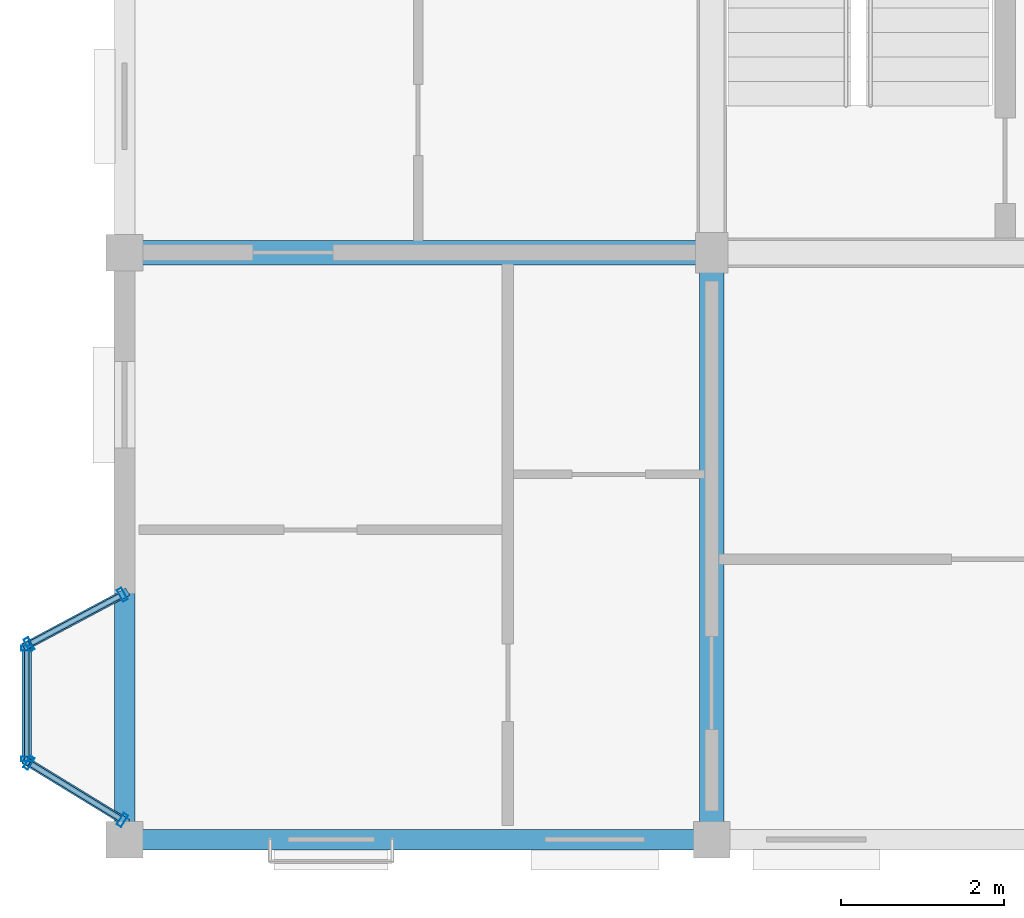
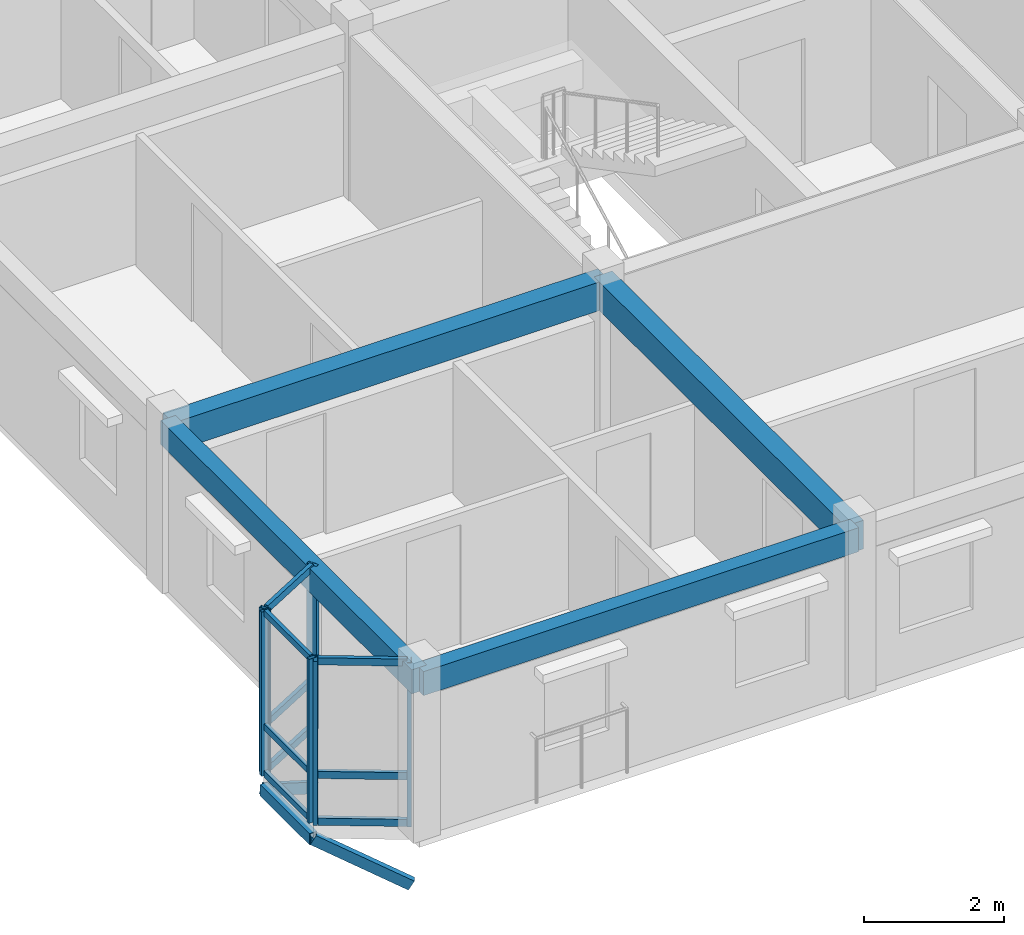
# One storey, part 3 of 28: 18 members, 4 beams, 3 elements without a shape of their own.
"""IFC4 building model written with IfcOpenShell, lengths in metres."""

import ifcopenshell
import ifcopenshell.guid

model = None  # the IFC model being written
_history = None  # IfcOwnerHistory: only IFC2X3 demands one
_inside = {}  # id of a spatial element -> (the spatial element, [elements in it])
_under = {}  # id of a project, library or spatial element -> (it, [spatial elements below it])
_declared = {}  # id of a project -> (the project, [libraries it declares])
_typed = {}  # id of a type object -> (the type object, [elements of that type])
_made_of = {}  # id of a material, layer set ... -> (it, [elements and type objects made of it])


def new_model(schema):
    """Start an empty IFC model of exactly this schema.

    Asked for "IFC4X3", IfcOpenShell would pick the latest addendum, in which some entities
    have other attributes; the version numbers below select the first issue.
    IFC2X3 requires an IfcOwnerHistory on every rooted entity: one is made here for all.
    """
    global model, _history
    if schema == "IFC4X3":
        model = ifcopenshell.file(schema_version=(4, 3, 0, 0))
    else:
        model = ifcopenshell.file(schema=schema)
    _inside.clear()
    _under.clear()
    _declared.clear()
    _typed.clear()
    _made_of.clear()
    _history = None
    if model.schema == "IFC2X3":
        org = make("IfcOrganization", Name="unknown")
        user = make(
            "IfcPersonAndOrganization",
            ThePerson=make("IfcPerson", FamilyName="unknown"),
            TheOrganization=org,
        )
        app = make(
            "IfcApplication",
            ApplicationDeveloper=org,
            Version="unknown",
            ApplicationFullName="unknown",
            ApplicationIdentifier="unknown",
        )
        _history = make(
            "IfcOwnerHistory",
            OwningUser=user,
            OwningApplication=app,
            ChangeAction="ADDED",
            CreationDate=0,
        )
    return model


def make(cls, **values):
    """One entity of the class cls with the attributes given. An attribute that is None is left unset."""
    return model.create_entity(
        cls, **{name: value for name, value in values.items() if value is not None}
    )


def rooted(cls, **values):
    """An entity with a GlobalId (a new one), such as an element, a storey or a relation."""
    return make(cls, GlobalId=ifcopenshell.guid.new(), OwnerHistory=_history, **values)


def si_unit(unit_type, name, prefix=None):
    """IfcSIUnit, for example si_unit("LENGTHUNIT", "METRE", prefix="MILLI")."""
    return make("IfcSIUnit", UnitType=unit_type, Prefix=prefix, Name=name)


def assignment(units):
    """IfcUnitAssignment: the units of a project."""
    return None if units is None else make("IfcUnitAssignment", Units=units)


def point(xyz):
    """IfcCartesianPoint."""
    return None if xyz is None else make("IfcCartesianPoint", Coordinates=xyz)


def direction(xyz):
    """IfcDirection."""
    return None if xyz is None else make("IfcDirection", DirectionRatios=xyz)


def frame(location, z_axis=None, x_axis=None):
    """IfcAxis2Placement3D, a coordinate frame: its origin and axes. An axis left out is left unset."""
    return make(
        "IfcAxis2Placement3D",
        Location=point(location),
        Axis=direction(z_axis),
        RefDirection=direction(x_axis),
    )


def frame_2d(location, x_axis=None):
    """IfcAxis2Placement2D, a coordinate frame in the plane: its origin and x axis."""
    return make(
        "IfcAxis2Placement2D", Location=point(location), RefDirection=direction(x_axis)
    )


def origin():
    """The frame at (0, 0, 0) with its axes left unset."""
    return frame((0.0, 0.0, 0.0))


def origin_2d():
    """The frame at (0, 0) in the plane with its x axis left unset."""
    return frame_2d((0.0, 0.0))


def place(relative_to, where):
    """IfcLocalPlacement: puts the frame where relative to a parent placement (None: the world)."""
    return make(
        "IfcLocalPlacement", PlacementRelTo=relative_to, RelativePlacement=where
    )


def context(
    kind, dimensions, precision=None, world=None, true_north=None, identifier=None
):
    """IfcGeometricRepresentationContext, for example the 3D "Model" context."""
    return make(
        "IfcGeometricRepresentationContext",
        ContextIdentifier=identifier,
        ContextType=kind,
        CoordinateSpaceDimension=dimensions,
        Precision=precision,
        WorldCoordinateSystem=world,
        TrueNorth=true_north,
    )


def subcontext(parent, identifier, kind, view, scale=None):
    """IfcGeometricRepresentationSubContext, for example "Body" below "Model"."""
    return make(
        "IfcGeometricRepresentationSubContext",
        ContextIdentifier=identifier,
        ContextType=kind,
        ParentContext=parent,
        TargetScale=scale,
        TargetView=view,
    )


def project(units=None, contexts=None):
    """IfcProject with its units and contexts."""
    return rooted(
        "IfcProject",
        Name="project",
        RepresentationContexts=contexts,
        UnitsInContext=assignment(units),
    )


def spatial(cls, under=None, at=None, **own):
    """A site, building, storey or space (cls), placed at a placement, below another one or the project."""
    s = rooted(cls, ObjectPlacement=at, **own)
    if under is not None:
        _under.setdefault(under.id(), (under, []))[1].append(s)
    return s


def profile(cls, at=None, kind="AREA", **sizes):
    """A parametric profile (cls). Its sizes go by their IFC names, for example OverallWidth=200.0."""
    return make(cls, ProfileType=kind, Position=at, **sizes)


def rectangle(**sizes):
    """IfcRectangleProfileDef."""
    return profile("IfcRectangleProfileDef", **sizes)


def hollow_rectangle(**sizes):
    """IfcRectangleHollowProfileDef."""
    return profile("IfcRectangleHollowProfileDef", **sizes)


def extrude(swept, where, along, depth):
    """IfcExtrudedAreaSolid: the profile swept, set in the frame where, extruded along a direction by depth."""
    return make(
        "IfcExtrudedAreaSolid",
        SweptArea=swept,
        Position=where,
        ExtrudedDirection=direction(along),
        Depth=depth,
    )


def shape(context_of_items, identifier, shape_type, items):
    """IfcShapeRepresentation: the items that make up one representation, for example the "Body"."""
    return make(
        "IfcShapeRepresentation",
        ContextOfItems=context_of_items,
        RepresentationIdentifier=identifier,
        RepresentationType=shape_type,
        Items=items,
    )


def material(Name=None, Category=None):
    """IfcMaterial."""
    return make("IfcMaterial", Name=Name, Category=Category)


def layer(
    of_material, thickness, ventilated=None, Name=None, Category=None, Priority=None
):
    """IfcMaterialLayer: one layer of a wall or slab, of a material (None: an air gap)."""
    return make(
        "IfcMaterialLayer",
        Material=of_material,
        LayerThickness=thickness,
        IsVentilated=ventilated,
        Name=Name,
        Category=Category,
        Priority=Priority,
    )


def layer_set(layers, Name=None):
    """IfcMaterialLayerSet."""
    return make("IfcMaterialLayerSet", MaterialLayers=layers, LayerSetName=Name)


def material_profile(
    of_material, cross_section, Name=None, Category=None, Priority=None
):
    """IfcMaterialProfile: a cross section and its material."""
    return make(
        "IfcMaterialProfile",
        Name=Name,
        Material=of_material,
        Profile=cross_section,
        Priority=Priority,
        Category=Category,
    )


def profile_set(profiles, Name=None, composite=None):
    """IfcMaterialProfileSet."""
    return make(
        "IfcMaterialProfileSet",
        Name=Name,
        MaterialProfiles=profiles,
        CompositeProfile=composite,
    )


def made_of(thing, what):
    """Note that an element or type object is made of a material, layer set ...; save() writes the relation."""
    if what is not None:
        _made_of.setdefault(what.id(), (what, []))[1].append(thing)
    return thing


def type_object(cls, material=None, **own):
    """A type object (cls), such as IfcWallType, which elements share."""
    return made_of(rooted(cls, **own), material)


def element(
    cls,
    number,
    at=None,
    inside=None,
    cuts=None,
    type_object=None,
    material=None,
    context=None,
    identifier="Body",
    shape_type=None,
    held_by="IfcProductDefinitionShape",
    body=None,
    shapes=None,
    **own,
):
    """One element of the class cls, such as IfcWall. Its Tag is "e" and its number.

    at: its placement. inside: the storey or other place that contains it. cuts: it is an
    opening in that element (IfcRelVoidsElement). A single representation is given by context,
    identifier, shape_type and body (its items); several are given by shapes. held_by: the class
    of the entity that holds the representations. save() writes the other relations.
    """
    e = rooted(cls, Tag="e%d" % number, ObjectPlacement=at, **own)
    if body is not None:
        shapes = [shape(context, identifier, shape_type, body)]
    if shapes is not None:
        e.Representation = make(held_by, Representations=shapes)
    if inside is not None:
        _inside.setdefault(inside.id(), (inside, []))[1].append(e)
    if cuts is not None:
        rooted(
            "IfcRelVoidsElement", RelatingBuildingElement=cuts, RelatedOpeningElement=e
        )
    if type_object is not None:
        _typed.setdefault(type_object.id(), (type_object, []))[1].append(e)
    return made_of(e, material)


def aggregate(whole, parts):
    """IfcRelAggregates: a whole, such as a stair, and the parts it consists of."""
    return rooted("IfcRelAggregates", RelatingObject=whole, RelatedObjects=parts)


def save(model, path):
    """Write the relations noted so far, then the file.

    IfcRelAggregates (storeys below a building ...), IfcRelContainedInSpatialStructure (elements
    in a storey), IfcRelDefinesByType, IfcRelAssociatesMaterial and IfcRelDeclares: one each for
    every whole, place, type object, material and project.
    """
    for whole, parts in _under.values():
        aggregate(whole, parts)
    for where, things in _inside.values():
        rooted(
            "IfcRelContainedInSpatialStructure",
            RelatedElements=things,
            RelatingStructure=where,
        )
    for kind, things in _typed.values():
        rooted("IfcRelDefinesByType", RelatedObjects=things, RelatingType=kind)
    for what, things in _made_of.values():
        rooted("IfcRelAssociatesMaterial", RelatedObjects=things, RelatingMaterial=what)
    for by, libraries in _declared.values():
        rooted("IfcRelDeclares", RelatingContext=by, RelatedDefinitions=libraries)
    model.write(path)


model = new_model("IFC4")

# Units and contexts
model_context = context("Model", 3, precision=1e-05, world=origin(), true_north=direction((0.0, 1.0)))
body_context = subcontext(model_context, "Body", "Model", "MODEL_VIEW")
ifc_project = project(units=[si_unit("LENGTHUNIT", "METRE"), si_unit("AREAUNIT", "SQUARE_METRE"), si_unit("VOLUMEUNIT", "CUBIC_METRE"), si_unit("PLANEANGLEUNIT", "RADIAN"), si_unit("MASSUNIT", "GRAM", prefix="KILO"), si_unit("THERMODYNAMICTEMPERATUREUNIT", "KELVIN"), si_unit("POWERUNIT", "WATT")], contexts=[model_context])

# Site, building, storey
site_placement = place(None, origin())
site = spatial("IfcSite", under=ifc_project, at=site_placement, CompositionType="ELEMENT")
building_placement = place(site_placement, origin())
building = spatial("IfcBuilding", under=site, at=building_placement, Name="Tavuni Mirador Residences", CompositionType="ELEMENT")
storey_placement = place(building_placement, frame((0.0, 0.0, 39.14990234375)))
storey = spatial("IfcBuildingStorey", under=building, at=storey_placement, Name="L12", CompositionType="ELEMENT", Elevation=39.14990234375)

# Beams
ifc_material_1 = material(Name="Precast concrete C40/50", Category="concrete")
ifc_material_profile_1 = material_profile(ifc_material_1, rectangle(XDim=0.300048828125, YDim=0.5, at=origin_2d()), Name="PC 300x500", Category="concrete")
ifc_profile_set_1 = profile_set([ifc_material_profile_1], Name="Precast concrete C40/50")
beam_type_1 = type_object("IfcBeamType", Name="BT-B500", PredefinedType="BEAM", material=ifc_profile_set_1)
for number, where, z_axis, x_axis, name in (
    (1, (3.60009765625, 14.39990234375, 2.6201171875), (1.0, 0.0, 0.0), (0.0, 1.0, 0.0), "BMX-BLK-A-L12-00-01"),
    (2, (10.800048828125, 7.199951171875, 2.6201171875), (0.0, 1.0, 0.0), (-1.0, 0.0, 0.0), "BMY-BLK-A-L12-01-00"),
):
    element("IfcBeam", number, at=place(storey_placement, frame(where, z_axis=z_axis, x_axis=x_axis)), inside=storey, type_object=beam_type_1, Name=name, PredefinedType="BEAM", context=body_context, shape_type="SweptSolid", body=[
        extrude(rectangle(XDim=0.300048828125, YDim=0.5, at=origin_2d()), origin(), (0.0, 0.0, 1.0), 7.199951171875),
    ])
ifc_material_profile_2 = material_profile(ifc_material_1, rectangle(XDim=0.25, YDim=0.419921875, at=origin_2d()), Name="PC 250x420", Category="concrete")
ifc_profile_set_2 = profile_set([ifc_material_profile_2], Name="Precast concrete C40/50")
beam_type_2 = type_object("IfcBeamType", Name="BT-SP420", PredefinedType="SPANDREL", material=ifc_profile_set_2)
for number, where, z_axis, x_axis, name in (
    (3, (3.60009765625, 7.199951171875, 2.66015625), (1.0, 0.0, 0.0), (0.0, 1.0, 0.0), "BMX-BLK-A-L12-00-00"),
    (4, (3.60009765625, 7.199951171875, 2.66015625), (0.0, 1.0, 0.0), (-1.0, 0.0, 0.0), "BMY-BLK-A-L12-00-00"),
):
    element("IfcBeam", number, at=place(storey_placement, frame(where, z_axis=z_axis, x_axis=x_axis)), inside=storey, type_object=beam_type_2, Name=name, PredefinedType="SPANDREL", context=body_context, shape_type="SweptSolid", body=[
        extrude(rectangle(XDim=0.25, YDim=0.419921875, at=origin_2d()), origin(), (0.0, 0.0, 1.0), 7.199951171875),
    ])

# Curtain wall, members
ifc_material_2 = material(Name="Anodised aluminium", Category="aluminium")
ifc_layer_1 = layer(ifc_material_2, 0.1650390625, Name="Anodised aluminium", Category="aluminium")
ifc_layer_set_1 = layer_set([ifc_layer_1], Name="Anodised aluminium")
curtain_wall_type_1 = type_object("IfcCurtainWallType", Name="CWT-MIR-A", PredefinedType="NOTDEFINED", material=ifc_layer_set_1)
curtain_wall_1_placement = place(storey_placement, origin())
curtain_wall_1 = element("IfcCurtainWall", 5, at=curtain_wall_1_placement, inside=storey, type_object=curtain_wall_type_1, Name="CW-MIR-A-W1-L12-MF", PredefinedType="NOTDEFINED")
ifc_material_profile_3 = material_profile(ifc_material_2, hollow_rectangle(XDim=0.06005859375, YDim=0.139892578125, WallThickness=0.00390625, at=origin_2d()), Name="ALU 60x140x4.0", Category="aluminium")
ifc_profile_set_3 = profile_set([ifc_material_profile_3], Name="Anodised aluminium")
member_type_1 = type_object("IfcMemberType", Name="CWM-140", PredefinedType="MULLION", material=ifc_profile_set_3)
member_1_placement = place(storey_placement, frame((2.39990234375, 9.550048828125, 0.0), z_axis=(0.0, 0.0, 1.0), x_axis=(0.0, -1.0, 0.0)))
member_1 = element("IfcMember", 6, at=member_1_placement, type_object=member_type_1, Name="CW-01 mullion 1", PredefinedType="MULLION", context=body_context, shape_type="SweptSolid", body=[
    extrude(hollow_rectangle(XDim=0.06005859375, YDim=0.139892578125, WallThickness=0.00390625, at=origin_2d()), origin(), (0.0, 0.0, 1.0), 2.8701171875),
])
member_2_placement = place(storey_placement, frame((2.39990234375, 8.18994140625, 0.0), z_axis=(0.0, 0.0, 1.0), x_axis=(0.0, -1.0, 0.0)))
member_2 = element("IfcMember", 7, at=member_2_placement, type_object=member_type_1, Name="CW-01 mullion 2", PredefinedType="MULLION", context=body_context, shape_type="SweptSolid", body=[
    extrude(hollow_rectangle(XDim=0.06005859375, YDim=0.139892578125, WallThickness=0.00390625, at=origin_2d()), origin(), (0.0, 0.0, 1.0), 2.8701171875),
])

ifc_layer_2 = layer(ifc_material_2, 0.159912109375, Name="Anodised aluminium", Category="aluminium")
ifc_layer_set_2 = layer_set([ifc_layer_2], Name="Anodised aluminium")
curtain_wall_type_2 = type_object("IfcCurtainWallType", Name="CWT-MIR-D", PredefinedType="NOTDEFINED", material=ifc_layer_set_2)
curtain_wall_2_placement = place(storey_placement, origin())
curtain_wall_2 = element("IfcCurtainWall", 8, at=curtain_wall_2_placement, inside=storey, type_object=curtain_wall_type_2, Name="CW-MIR-A-W1-L12-M1", PredefinedType="NOTDEFINED")
ifc_material_profile_4 = material_profile(ifc_material_2, hollow_rectangle(XDim=0.06494140625, YDim=0.1650390625, WallThickness=0.00439453125, at=origin_2d()), Name="ALU 65x165x4.5", Category="aluminium")
ifc_profile_set_4 = profile_set([ifc_material_profile_4], Name="Anodised aluminium")
member_type_2 = type_object("IfcMemberType", Name="CWM-165", PredefinedType="MULLION", material=ifc_profile_set_4)
member_3_placement = place(storey_placement, frame((3.5712890625, 10.20458984375, 0.0), z_axis=(0.0, 0.0, 1.0), x_axis=(-0.882352941175, -0.470588235296, 0.0)))
member_3 = element("IfcMember", 9, at=member_3_placement, type_object=member_type_2, Name="CW-04 mullion 1", PredefinedType="MULLION", context=body_context, shape_type="SweptSolid", body=[
    extrude(hollow_rectangle(XDim=0.06494140625, YDim=0.1650390625, WallThickness=0.00439453125, at=origin_2d()), origin(), (0.0, 0.0, 1.0), 2.8701171875),
])
member_4_placement = place(storey_placement, frame((2.4287109375, 9.59521484375, 0.0), z_axis=(0.0, 0.0, 1.0), x_axis=(-0.882352941175, -0.470588235296, 0.0)))
member_4 = element("IfcMember", 10, at=member_4_placement, type_object=member_type_2, Name="CW-04 mullion 2", PredefinedType="MULLION", context=body_context, shape_type="SweptSolid", body=[
    extrude(hollow_rectangle(XDim=0.06494140625, YDim=0.1650390625, WallThickness=0.00439453125, at=origin_2d()), origin(), (0.0, 0.0, 1.0), 2.8701171875),
])

ifc_layer_3 = layer(ifc_material_2, 0.14990234375, Name="Anodised aluminium", Category="aluminium")
ifc_layer_set_3 = layer_set([ifc_layer_3], Name="Anodised aluminium")
curtain_wall_type_3 = type_object("IfcCurtainWallType", Name="CWT-MIR-B", PredefinedType="NOTDEFINED", material=ifc_layer_set_3)
curtain_wall_3_placement = place(storey_placement, origin())
curtain_wall_3 = element("IfcCurtainWall", 11, at=curtain_wall_3_placement, inside=storey, type_object=curtain_wall_type_3, Name="CW-MIR-A-W1-L12-M2", PredefinedType="NOTDEFINED")
member_5_placement = place(storey_placement, frame((2.427734375, 8.14306640625, 0.0), z_axis=(0.0, 0.0, 1.0), x_axis=(0.852754414845, -0.522312079088, 0.0)))
member_5 = element("IfcMember", 12, at=member_5_placement, type_object=member_type_2, Name="CW-02 mullion 1", PredefinedType="MULLION", context=body_context, shape_type="SweptSolid", body=[
    extrude(hollow_rectangle(XDim=0.06494140625, YDim=0.1650390625, WallThickness=0.00439453125, at=origin_2d()), origin(), (0.0, 0.0, 1.0), 2.8701171875),
])
member_6_placement = place(storey_placement, frame((3.572265625, 7.44189453125, 0.0), z_axis=(0.0, 0.0, 1.0), x_axis=(0.852754414845, -0.522312079088, 0.0)))
member_6 = element("IfcMember", 13, at=member_6_placement, type_object=member_type_2, Name="CW-02 mullion 2", PredefinedType="MULLION", context=body_context, shape_type="SweptSolid", body=[
    extrude(hollow_rectangle(XDim=0.06494140625, YDim=0.1650390625, WallThickness=0.00439453125, at=origin_2d()), origin(), (0.0, 0.0, 1.0), 2.8701171875),
])

# Member
ifc_material_profile_5 = material_profile(ifc_material_2, hollow_rectangle(XDim=0.06005859375, YDim=0.110107421875, WallThickness=0.00390625, at=origin_2d()), Name="ALU 60x110x4.0", Category="aluminium")
ifc_profile_set_5 = profile_set([ifc_material_profile_5], Name="Anodised aluminium")
member_type_3 = type_object("IfcMemberType", Name="CWT-110", PredefinedType="USERDEFINED", material=ifc_profile_set_5)
member_7_placement = place(storey_placement, frame((2.39990234375, 9.52001953125, 0.030029296875), z_axis=(0.0, -1.0, 0.0), x_axis=(1.0, 0.0, 0.0)))
member_7 = element("IfcMember", 14, at=member_7_placement, type_object=member_type_3, Name="CW-01 transom 1.1", ObjectType="TRANSOM", PredefinedType="USERDEFINED", context=body_context, shape_type="SweptSolid", body=[
    extrude(hollow_rectangle(XDim=0.06005859375, YDim=0.110107421875, WallThickness=0.00390625, at=origin_2d()), origin(), (0.0, 0.0, 1.0), 1.300048828125),
])

member_8_placement = place(storey_placement, frame((2.39990234375, 9.52001953125, 0.85009765625), z_axis=(0.0, -1.0, 0.0), x_axis=(1.0, 0.0, 0.0)))
member_8 = element("IfcMember", 15, at=member_8_placement, type_object=member_type_3, Name="CW-01 transom 1.2", ObjectType="TRANSOM", PredefinedType="USERDEFINED", context=body_context, shape_type="SweptSolid", body=[
    extrude(hollow_rectangle(XDim=0.06005859375, YDim=0.110107421875, WallThickness=0.00390625, at=origin_2d()), origin(), (0.0, 0.0, 1.0), 1.300048828125),
])

member_9_placement = place(storey_placement, frame((2.39990234375, 9.52001953125, 2.840087890625), z_axis=(0.0, -1.0, 0.0), x_axis=(1.0, 0.0, 0.0)))
member_9 = element("IfcMember", 16, at=member_9_placement, type_object=member_type_3, Name="CW-01 transom 1.3", ObjectType="TRANSOM", PredefinedType="USERDEFINED", context=body_context, shape_type="SweptSolid", body=[
    extrude(hollow_rectangle(XDim=0.06005859375, YDim=0.110107421875, WallThickness=0.00390625, at=origin_2d()), origin(), (0.0, 0.0, 1.0), 1.300048828125),
])

aggregate(curtain_wall_1, [member_1, member_2, member_7, member_8, member_9])

ifc_material_profile_6 = material_profile(ifc_material_2, hollow_rectangle(XDim=0.06494140625, YDim=0.125, WallThickness=0.00439453125, at=origin_2d()), Name="ALU 65x125x4.5", Category="aluminium")
ifc_profile_set_6 = profile_set([ifc_material_profile_6], Name="Anodised aluminium")
member_type_4 = type_object("IfcMemberType", Name="CWT-125", PredefinedType="USERDEFINED", material=ifc_profile_set_6)
member_10_placement = place(storey_placement, frame((3.542724609375, 10.189453125, 0.03271484375), z_axis=(-0.882369422046, -0.47055733236, 0.0), x_axis=(0.47055733236, -0.882369422046, 0.0)))
member_10 = element("IfcMember", 17, at=member_10_placement, type_object=member_type_4, Name="CW-04 transom 1.1", ObjectType="TRANSOM", PredefinedType="USERDEFINED", context=body_context, shape_type="SweptSolid", body=[
    extrude(hollow_rectangle(XDim=0.06494140625, YDim=0.125, WallThickness=0.00439453125, at=origin_2d()), origin(), (0.0, 0.0, 1.0), 1.230224609375),
])

member_11_placement = place(storey_placement, frame((3.542724609375, 10.189453125, 0.85009765625), z_axis=(-0.882369422046, -0.47055733236, 0.0), x_axis=(0.47055733236, -0.882369422046, 0.0)))
member_11 = element("IfcMember", 18, at=member_11_placement, type_object=member_type_4, Name="CW-04 transom 1.2", ObjectType="TRANSOM", PredefinedType="USERDEFINED", context=body_context, shape_type="SweptSolid", body=[
    extrude(hollow_rectangle(XDim=0.06494140625, YDim=0.125, WallThickness=0.00439453125, at=origin_2d()), origin(), (0.0, 0.0, 1.0), 1.230224609375),
])

member_12_placement = place(storey_placement, frame((3.542724609375, 10.189453125, 2.837646484375), z_axis=(-0.882369422046, -0.47055733236, 0.0), x_axis=(0.47055733236, -0.882369422046, 0.0)))
member_12 = element("IfcMember", 19, at=member_12_placement, type_object=member_type_4, Name="CW-04 transom 1.3", ObjectType="TRANSOM", PredefinedType="USERDEFINED", context=body_context, shape_type="SweptSolid", body=[
    extrude(hollow_rectangle(XDim=0.06494140625, YDim=0.125, WallThickness=0.00439453125, at=origin_2d()), origin(), (0.0, 0.0, 1.0), 1.230224609375),
])

aggregate(curtain_wall_2, [member_3, member_4, member_10, member_11, member_12])

member_13_placement = place(storey_placement, frame((2.455322265625, 8.1259765625, 0.03271484375), z_axis=(0.852837407371, -0.522176556911, 0.0), x_axis=(0.522176556911, 0.852837407371, 0.0)))
member_13 = element("IfcMember", 20, at=member_13_placement, type_object=member_type_4, Name="CW-02 transom 1.1", ObjectType="TRANSOM", PredefinedType="USERDEFINED", context=body_context, shape_type="SweptSolid", body=[
    extrude(hollow_rectangle(XDim=0.06494140625, YDim=0.125, WallThickness=0.00439453125, at=origin_2d()), origin(), (0.0, 0.0, 1.0), 1.27734375),
])

member_14_placement = place(storey_placement, frame((2.455322265625, 8.1259765625, 0.85009765625), z_axis=(0.852837407371, -0.522176556911, 0.0), x_axis=(0.522176556911, 0.852837407371, 0.0)))
member_14 = element("IfcMember", 21, at=member_14_placement, type_object=member_type_4, Name="CW-02 transom 1.2", ObjectType="TRANSOM", PredefinedType="USERDEFINED", context=body_context, shape_type="SweptSolid", body=[
    extrude(hollow_rectangle(XDim=0.06494140625, YDim=0.125, WallThickness=0.00439453125, at=origin_2d()), origin(), (0.0, 0.0, 1.0), 1.27734375),
])

member_15_placement = place(storey_placement, frame((2.455322265625, 8.1259765625, 2.837646484375), z_axis=(0.852837407371, -0.522176556911, 0.0), x_axis=(0.522176556911, 0.852837407371, 0.0)))
member_15 = element("IfcMember", 22, at=member_15_placement, type_object=member_type_4, Name="CW-02 transom 1.3", ObjectType="TRANSOM", PredefinedType="USERDEFINED", context=body_context, shape_type="SweptSolid", body=[
    extrude(hollow_rectangle(XDim=0.06494140625, YDim=0.125, WallThickness=0.00439453125, at=origin_2d()), origin(), (0.0, 0.0, 1.0), 1.27734375),
])

aggregate(curtain_wall_3, [member_5, member_6, member_13, member_14, member_15])

# Members
ifc_material_3 = material(Name="Structural steel S355", Category="steel")
ifc_material_profile_7 = material_profile(ifc_material_3, hollow_rectangle(XDim=0.10009765625, YDim=0.179931640625, WallThickness=0.008056640625, at=origin_2d()), Name="RHS 180x100x8.0", Category="steel")
ifc_profile_set_7 = profile_set([ifc_material_profile_7], Name="Structural steel S355")
member_type_5 = type_object("IfcMemberType", Name="MT-BR-RHS180", PredefinedType="BRACE", material=ifc_profile_set_7)
member_16_placement = place(storey_placement, frame((3.60009765625, 7.425048828125, -1.0498046875), z_axis=(-0.748163203753, 0.458090163405, 0.480005440325), x_axis=(-0.522179610986, -0.852835537411, 0.0)))
element("IfcMember", 23, at=member_16_placement, inside=storey, type_object=member_type_5, Name="MBRK-MIR-A-W1-L12-1", PredefinedType="BRACE", context=body_context, shape_type="SweptSolid", body=[
    extrude(hollow_rectangle(XDim=0.10009765625, YDim=0.179931640625, WallThickness=0.008056640625, at=origin_2d()), origin(), (0.0, 0.0, 1.0), 1.604248046875),
])
member_17_placement = place(storey_placement, frame((3.60009765625, 10.219970703125, -1.0498046875), z_axis=(-0.767896193149, -0.409409260017, 0.492665702439), x_axis=(0.470467115558, -0.882417527692, 0.0)))
element("IfcMember", 24, at=member_17_placement, inside=storey, type_object=member_type_5, Name="MBRK-MIR-A-W1-L12-2", PredefinedType="BRACE", context=body_context, shape_type="SweptSolid", body=[
    extrude(hollow_rectangle(XDim=0.10009765625, YDim=0.179931640625, WallThickness=0.008056640625, at=origin_2d()), origin(), (0.0, 0.0, 1.0), 1.56298828125),
])
ifc_material_profile_8 = material_profile(ifc_material_3, hollow_rectangle(XDim=0.1201171875, YDim=0.199951171875, WallThickness=0.010009765625, at=origin_2d()), Name="RHS 200x120x10.0", Category="steel")
ifc_profile_set_8 = profile_set([ifc_material_profile_8], Name="Structural steel S355")
member_type_6 = type_object("IfcMemberType", Name="MT-ST-RHS200", PredefinedType="STRUT", material=ifc_profile_set_8)
member_18_placement = place(storey_placement, frame((2.39990234375, 8.159912109375, -0.27978515625), z_axis=(0.0, 1.0, 0.0), x_axis=(-1.0, 0.0, 0.0)))
element("IfcMember", 25, at=member_18_placement, inside=storey, type_object=member_type_6, Name="MRIM-MIR-A-W1-L12", PredefinedType="STRUT", context=body_context, shape_type="SweptSolid", body=[
    extrude(hollow_rectangle(XDim=0.1201171875, YDim=0.199951171875, WallThickness=0.010009765625, at=origin_2d()), origin(), (0.0, 0.0, 1.0), 1.420166015625),
])

save(model, "model.ifc")
